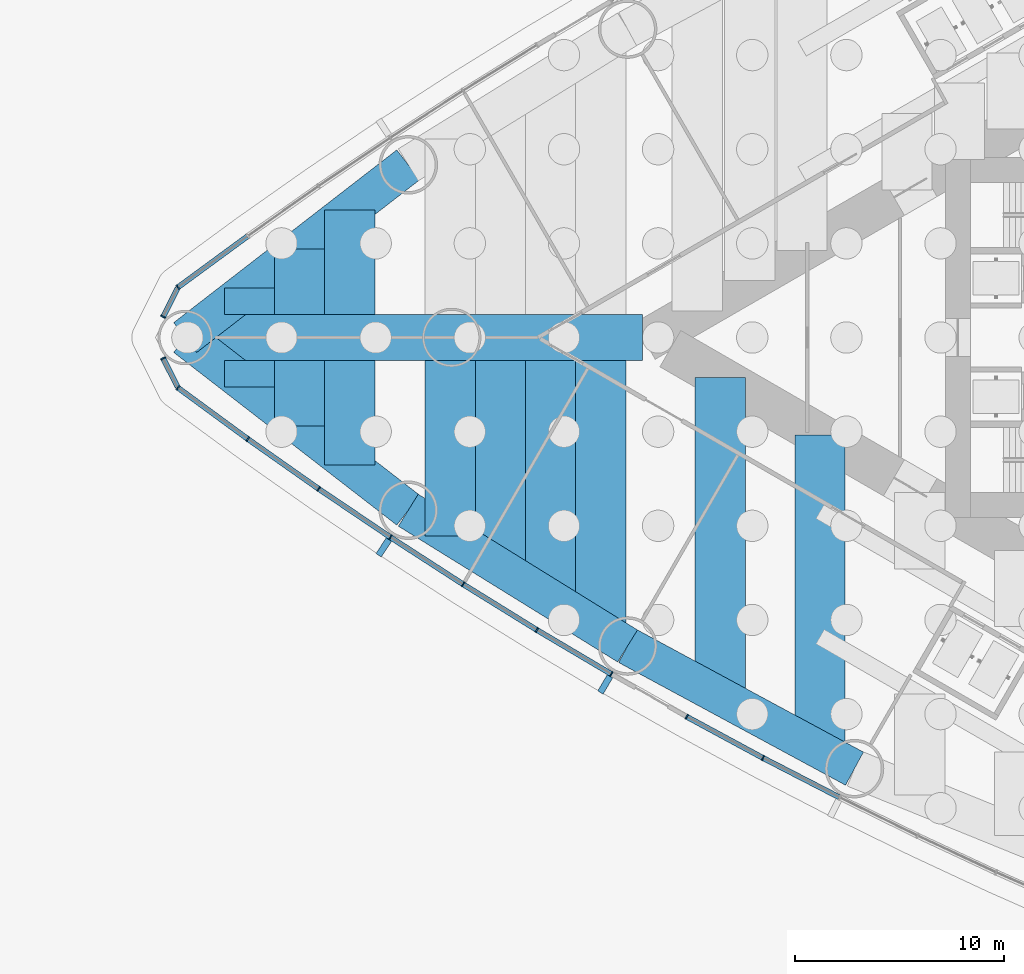
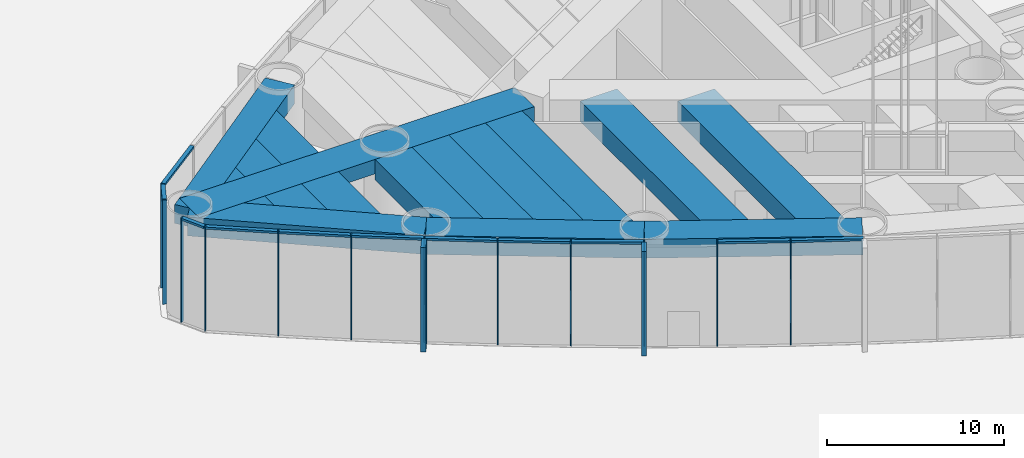
# One storey, part 7 of 43: 25 members, 17 beams, 3 elements without a shape of their own.
"""IFC4 building model written with IfcOpenShell, lengths in metres."""

import ifcopenshell
import ifcopenshell.guid

model = None  # the IFC model being written
_history = None  # IfcOwnerHistory: only IFC2X3 demands one
_inside = {}  # id of a spatial element -> (the spatial element, [elements in it])
_under = {}  # id of a project, library or spatial element -> (it, [spatial elements below it])
_declared = {}  # id of a project -> (the project, [libraries it declares])
_typed = {}  # id of a type object -> (the type object, [elements of that type])
_made_of = {}  # id of a material, layer set ... -> (it, [elements and type objects made of it])


def new_model(schema):
    """Start an empty IFC model of exactly this schema.

    Asked for "IFC4X3", IfcOpenShell would pick the latest addendum, in which some entities
    have other attributes; the version numbers below select the first issue.
    IFC2X3 requires an IfcOwnerHistory on every rooted entity: one is made here for all.
    """
    global model, _history
    if schema == "IFC4X3":
        model = ifcopenshell.file(schema_version=(4, 3, 0, 0))
    else:
        model = ifcopenshell.file(schema=schema)
    _inside.clear()
    _under.clear()
    _declared.clear()
    _typed.clear()
    _made_of.clear()
    _history = None
    if model.schema == "IFC2X3":
        org = make("IfcOrganization", Name="unknown")
        user = make(
            "IfcPersonAndOrganization",
            ThePerson=make("IfcPerson", FamilyName="unknown"),
            TheOrganization=org,
        )
        app = make(
            "IfcApplication",
            ApplicationDeveloper=org,
            Version="unknown",
            ApplicationFullName="unknown",
            ApplicationIdentifier="unknown",
        )
        _history = make(
            "IfcOwnerHistory",
            OwningUser=user,
            OwningApplication=app,
            ChangeAction="ADDED",
            CreationDate=0,
        )
    return model


def make(cls, **values):
    """One entity of the class cls with the attributes given. An attribute that is None is left unset."""
    return model.create_entity(
        cls, **{name: value for name, value in values.items() if value is not None}
    )


def rooted(cls, **values):
    """An entity with a GlobalId (a new one), such as an element, a storey or a relation."""
    return make(cls, GlobalId=ifcopenshell.guid.new(), OwnerHistory=_history, **values)


def si_unit(unit_type, name, prefix=None):
    """IfcSIUnit, for example si_unit("LENGTHUNIT", "METRE", prefix="MILLI")."""
    return make("IfcSIUnit", UnitType=unit_type, Prefix=prefix, Name=name)


def assignment(units):
    """IfcUnitAssignment: the units of a project."""
    return None if units is None else make("IfcUnitAssignment", Units=units)


def point(xyz):
    """IfcCartesianPoint."""
    return None if xyz is None else make("IfcCartesianPoint", Coordinates=xyz)


def direction(xyz):
    """IfcDirection."""
    return None if xyz is None else make("IfcDirection", DirectionRatios=xyz)


def frame(location, z_axis=None, x_axis=None):
    """IfcAxis2Placement3D, a coordinate frame: its origin and axes. An axis left out is left unset."""
    return make(
        "IfcAxis2Placement3D",
        Location=point(location),
        Axis=direction(z_axis),
        RefDirection=direction(x_axis),
    )


def frame_2d(location, x_axis=None):
    """IfcAxis2Placement2D, a coordinate frame in the plane: its origin and x axis."""
    return make(
        "IfcAxis2Placement2D", Location=point(location), RefDirection=direction(x_axis)
    )


def origin():
    """The frame at (0, 0, 0) with its axes left unset."""
    return frame((0.0, 0.0, 0.0))


def origin_2d():
    """The frame at (0, 0) in the plane with its x axis left unset."""
    return frame_2d((0.0, 0.0))


def place(relative_to, where):
    """IfcLocalPlacement: puts the frame where relative to a parent placement (None: the world)."""
    return make(
        "IfcLocalPlacement", PlacementRelTo=relative_to, RelativePlacement=where
    )


def context(
    kind, dimensions, precision=None, world=None, true_north=None, identifier=None
):
    """IfcGeometricRepresentationContext, for example the 3D "Model" context."""
    return make(
        "IfcGeometricRepresentationContext",
        ContextIdentifier=identifier,
        ContextType=kind,
        CoordinateSpaceDimension=dimensions,
        Precision=precision,
        WorldCoordinateSystem=world,
        TrueNorth=true_north,
    )


def subcontext(parent, identifier, kind, view, scale=None):
    """IfcGeometricRepresentationSubContext, for example "Body" below "Model"."""
    return make(
        "IfcGeometricRepresentationSubContext",
        ContextIdentifier=identifier,
        ContextType=kind,
        ParentContext=parent,
        TargetScale=scale,
        TargetView=view,
    )


def project(units=None, contexts=None):
    """IfcProject with its units and contexts."""
    return rooted(
        "IfcProject",
        Name="project",
        RepresentationContexts=contexts,
        UnitsInContext=assignment(units),
    )


def spatial(cls, under=None, at=None, **own):
    """A site, building, storey or space (cls), placed at a placement, below another one or the project."""
    s = rooted(cls, ObjectPlacement=at, **own)
    if under is not None:
        _under.setdefault(under.id(), (under, []))[1].append(s)
    return s


def profile(cls, at=None, kind="AREA", **sizes):
    """A parametric profile (cls). Its sizes go by their IFC names, for example OverallWidth=200.0."""
    return make(cls, ProfileType=kind, Position=at, **sizes)


def rectangle(**sizes):
    """IfcRectangleProfileDef."""
    return profile("IfcRectangleProfileDef", **sizes)


def extrude(swept, where, along, depth):
    """IfcExtrudedAreaSolid: the profile swept, set in the frame where, extruded along a direction by depth."""
    return make(
        "IfcExtrudedAreaSolid",
        SweptArea=swept,
        Position=where,
        ExtrudedDirection=direction(along),
        Depth=depth,
    )


def shape(context_of_items, identifier, shape_type, items):
    """IfcShapeRepresentation: the items that make up one representation, for example the "Body"."""
    return make(
        "IfcShapeRepresentation",
        ContextOfItems=context_of_items,
        RepresentationIdentifier=identifier,
        RepresentationType=shape_type,
        Items=items,
    )


def material(Name=None, Category=None):
    """IfcMaterial."""
    return make("IfcMaterial", Name=Name, Category=Category)


def material_profile(
    of_material, cross_section, Name=None, Category=None, Priority=None
):
    """IfcMaterialProfile: a cross section and its material."""
    return make(
        "IfcMaterialProfile",
        Name=Name,
        Material=of_material,
        Profile=cross_section,
        Priority=Priority,
        Category=Category,
    )


def profile_set(profiles, Name=None, composite=None):
    """IfcMaterialProfileSet."""
    return make(
        "IfcMaterialProfileSet",
        Name=Name,
        MaterialProfiles=profiles,
        CompositeProfile=composite,
    )


def made_of(thing, what):
    """Note that an element or type object is made of a material, layer set ...; save() writes the relation."""
    if what is not None:
        _made_of.setdefault(what.id(), (what, []))[1].append(thing)
    return thing


def type_object(cls, material=None, **own):
    """A type object (cls), such as IfcWallType, which elements share."""
    return made_of(rooted(cls, **own), material)


def element(
    cls,
    number,
    at=None,
    inside=None,
    cuts=None,
    type_object=None,
    material=None,
    context=None,
    identifier="Body",
    shape_type=None,
    held_by="IfcProductDefinitionShape",
    body=None,
    shapes=None,
    **own,
):
    """One element of the class cls, such as IfcWall. Its Tag is "e" and its number.

    at: its placement. inside: the storey or other place that contains it. cuts: it is an
    opening in that element (IfcRelVoidsElement). A single representation is given by context,
    identifier, shape_type and body (its items); several are given by shapes. held_by: the class
    of the entity that holds the representations. save() writes the other relations.
    """
    e = rooted(cls, Tag="e%d" % number, ObjectPlacement=at, **own)
    if body is not None:
        shapes = [shape(context, identifier, shape_type, body)]
    if shapes is not None:
        e.Representation = make(held_by, Representations=shapes)
    if inside is not None:
        _inside.setdefault(inside.id(), (inside, []))[1].append(e)
    if cuts is not None:
        rooted(
            "IfcRelVoidsElement", RelatingBuildingElement=cuts, RelatedOpeningElement=e
        )
    if type_object is not None:
        _typed.setdefault(type_object.id(), (type_object, []))[1].append(e)
    return made_of(e, material)


def aggregate(whole, parts):
    """IfcRelAggregates: a whole, such as a stair, and the parts it consists of."""
    return rooted("IfcRelAggregates", RelatingObject=whole, RelatedObjects=parts)


def save(model, path):
    """Write the relations noted so far, then the file.

    IfcRelAggregates (storeys below a building ...), IfcRelContainedInSpatialStructure (elements
    in a storey), IfcRelDefinesByType, IfcRelAssociatesMaterial and IfcRelDeclares: one each for
    every whole, place, type object, material and project.
    """
    for whole, parts in _under.values():
        aggregate(whole, parts)
    for where, things in _inside.values():
        rooted(
            "IfcRelContainedInSpatialStructure",
            RelatedElements=things,
            RelatingStructure=where,
        )
    for kind, things in _typed.values():
        rooted("IfcRelDefinesByType", RelatedObjects=things, RelatingType=kind)
    for what, things in _made_of.values():
        rooted("IfcRelAssociatesMaterial", RelatedObjects=things, RelatingMaterial=what)
    for by, libraries in _declared.values():
        rooted("IfcRelDeclares", RelatingContext=by, RelatedDefinitions=libraries)
    model.write(path)


model = new_model("IFC4")

# Units and contexts
model_context = context("Model", 3, precision=1e-05, world=origin(), true_north=direction((0.0, 1.0)))
body_context = subcontext(model_context, "Body", "Model", "MODEL_VIEW")
ifc_project = project(units=[si_unit("LENGTHUNIT", "METRE"), si_unit("AREAUNIT", "SQUARE_METRE"), si_unit("VOLUMEUNIT", "CUBIC_METRE"), si_unit("PLANEANGLEUNIT", "RADIAN"), si_unit("MASSUNIT", "GRAM", prefix="KILO")], contexts=[model_context])

# Site, building, storey
site_placement = place(None, origin())
site = spatial("IfcSite", under=ifc_project, at=site_placement, CompositionType="ELEMENT")
building_placement = place(site_placement, origin())
building = spatial("IfcBuilding", under=site, at=building_placement, Name="Lancet Gate Hotel", CompositionType="ELEMENT")
storey_placement = place(building_placement, origin())
storey = spatial("IfcBuildingStorey", under=building, at=storey_placement, Name="L00", CompositionType="ELEMENT", Elevation=0.0)

# Curtain wall, members
ifc_material_1 = material(Name="Aluminium curtain wall", Category="aluminium")
curtain_wall_type = type_object("IfcCurtainWallType", Name="Podium curtain wall", PredefinedType="USERDEFINED", material=ifc_material_1)
curtain_wall_1_placement = place(storey_placement, origin())
curtain_wall_1 = element("IfcCurtainWall", 1, at=curtain_wall_1_placement, inside=storey, type_object=curtain_wall_type, Name="T1 L00 curtain wall 3", ObjectType="UNITISED CURTAIN WALL", PredefinedType="USERDEFINED")
ifc_material_2 = material(Name="Aluminium mullion", Category="aluminium")
ifc_material_profile_1 = material_profile(ifc_material_2, rectangle(XDim=0.06494140625, YDim=0.25, at=origin_2d()), Name="MULLION 65x250")
ifc_profile_set_1 = profile_set([ifc_material_profile_1], Name="Aluminium mullion")
member_type_1 = type_object("IfcMemberType", Name="Aluminium mullion 65x250", PredefinedType="MULLION", material=ifc_profile_set_1)
member_1_placement = place(storey_placement, frame((-74.5830078125, 2.401611328125, 0.0), z_axis=(0.0, 0.0, 1.0), x_axis=(-0.723695580132, -0.690119342793, 0.0)))
member_1 = element("IfcMember", 2, at=member_1_placement, type_object=member_type_1, Name="T1 L00 curtain wall 3 mullion 6", PredefinedType="MULLION", context=body_context, shape_type="SweptSolid", body=[
    extrude(rectangle(XDim=0.06494140625, YDim=0.25, at=origin_2d()), origin(), (0.0, 0.0, 1.0), 7.199951171875),
])
member_2_placement = place(storey_placement, frame((-75.287109375, 0.994873046875, 0.0), z_axis=(0.0, 0.0, 1.0), x_axis=(-0.447628324726, -0.89421970617, 0.0)))
member_2 = element("IfcMember", 3, at=member_2_placement, type_object=member_type_1, Name="T1 L00 curtain wall 3 mullion 7", PredefinedType="MULLION", context=body_context, shape_type="SweptSolid", body=[
    extrude(rectangle(XDim=0.06494140625, YDim=0.25, at=origin_2d()), origin(), (0.0, 0.0, 1.0), 7.199951171875),
])

curtain_wall_2_placement = place(storey_placement, origin())
curtain_wall_2 = element("IfcCurtainWall", 4, at=curtain_wall_2_placement, inside=storey, type_object=curtain_wall_type, Name="T1 L00 curtain wall 4", ObjectType="UNITISED CURTAIN WALL", PredefinedType="USERDEFINED")
member_3_placement = place(storey_placement, frame((-75.287109375, -0.994873046875, 0.0), z_axis=(0.0, 0.0, 1.0), x_axis=(0.447628324726, -0.89421970617, 0.0)))
member_3 = element("IfcMember", 5, at=member_3_placement, type_object=member_type_1, Name="T1 L00 curtain wall 4 mullion 1", PredefinedType="MULLION", context=body_context, shape_type="SweptSolid", body=[
    extrude(rectangle(XDim=0.06494140625, YDim=0.25, at=origin_2d()), origin(), (0.0, 0.0, 1.0), 7.199951171875),
])
member_4_placement = place(storey_placement, frame((-74.5830078125, -2.401611328125, 0.0), z_axis=(0.0, 0.0, 1.0), x_axis=(0.723695580132, -0.690119342793, 0.0)))
member_4 = element("IfcMember", 6, at=member_4_placement, type_object=member_type_1, Name="T1 L00 curtain wall 4 mullion 2", PredefinedType="MULLION", context=body_context, shape_type="SweptSolid", body=[
    extrude(rectangle(XDim=0.06494140625, YDim=0.25, at=origin_2d()), origin(), (0.0, 0.0, 1.0), 7.199951171875),
])
member_5_placement = place(storey_placement, frame((-71.244384765625, -4.85009765625, 0.0), z_axis=(0.0, 0.0, 1.0), x_axis=(0.812146623168, -0.583453393578, 0.0)))
member_5 = element("IfcMember", 7, at=member_5_placement, type_object=member_type_1, Name="T1 L00 curtain wall 4 mullion 3", PredefinedType="MULLION", context=body_context, shape_type="SweptSolid", body=[
    extrude(rectangle(XDim=0.06494140625, YDim=0.25, at=origin_2d()), origin(), (0.0, 0.0, 1.0), 7.199951171875),
])
member_6_placement = place(storey_placement, frame((-67.858154296875, -7.232666015625, 0.0), z_axis=(0.0, 0.0, 1.0), x_axis=(0.823425148573, -0.56742490666, 0.0)))
member_6 = element("IfcMember", 8, at=member_6_placement, type_object=member_type_1, Name="T1 L00 curtain wall 4 mullion 4", PredefinedType="MULLION", context=body_context, shape_type="SweptSolid", body=[
    extrude(rectangle(XDim=0.06494140625, YDim=0.25, at=origin_2d()), origin(), (0.0, 0.0, 1.0), 7.199951171875),
])
member_7_placement = place(storey_placement, frame((-64.42626953125, -9.548583984375, 0.0), z_axis=(0.0, 0.0, 1.0), x_axis=(0.834387381945, -0.55117846189, 0.0)))
member_7 = element("IfcMember", 9, at=member_7_placement, type_object=member_type_1, Name="T1 L00 curtain wall 4 mullion 5", PredefinedType="MULLION", context=body_context, shape_type="SweptSolid", body=[
    extrude(rectangle(XDim=0.06494140625, YDim=0.25, at=origin_2d()), origin(), (0.0, 0.0, 1.0), 7.199951171875),
])
member_8_placement = place(storey_placement, frame((-60.949462890625, -11.796630859375, 0.0), z_axis=(0.0, 0.0, 1.0), x_axis=(0.845029112489, -0.534720299827, 0.0)))
member_8 = element("IfcMember", 10, at=member_8_placement, type_object=member_type_1, Name="T1 L00 curtain wall 4 mullion 6", PredefinedType="MULLION", context=body_context, shape_type="SweptSolid", body=[
    extrude(rectangle(XDim=0.06494140625, YDim=0.25, at=origin_2d()), origin(), (0.0, 0.0, 1.0), 7.199951171875),
])
member_9_placement = place(storey_placement, frame((-57.42919921875, -13.97607421875, 0.0), z_axis=(0.0, 0.0, 1.0), x_axis=(0.855346252548, -0.518056742309, 0.0)))
member_9 = element("IfcMember", 11, at=member_9_placement, type_object=member_type_1, Name="T1 L00 curtain wall 4 mullion 7", PredefinedType="MULLION", context=body_context, shape_type="SweptSolid", body=[
    extrude(rectangle(XDim=0.06494140625, YDim=0.25, at=origin_2d()), origin(), (0.0, 0.0, 1.0), 7.199951171875),
])
member_10_placement = place(storey_placement, frame((-53.866943359375, -16.086181640625, 0.0), z_axis=(0.0, 0.0, 1.0), x_axis=(0.860381857795, -0.509649937484, 0.0)))
member_10 = element("IfcMember", 12, at=member_10_placement, type_object=member_type_1, Name="T1 L00 curtain wall 4 mullion 8", PredefinedType="MULLION", context=body_context, shape_type="SweptSolid", body=[
    extrude(rectangle(XDim=0.06494140625, YDim=0.25, at=origin_2d()), origin(), (0.0, 0.0, 1.0), 7.199951171875),
])

curtain_wall_3_placement = place(storey_placement, origin())
curtain_wall_3 = element("IfcCurtainWall", 13, at=curtain_wall_3_placement, inside=storey, type_object=curtain_wall_type, Name="T1 L00 curtain wall 5", ObjectType="UNITISED CURTAIN WALL", PredefinedType="USERDEFINED")
member_11_placement = place(storey_placement, frame((-50.26416015625, -18.1259765625, 0.0), z_axis=(0.0, 0.0, 1.0), x_axis=(0.87969332307, -0.475541435993, 0.0)))
member_11 = element("IfcMember", 14, at=member_11_placement, type_object=member_type_1, Name="T1 L00 curtain wall 5 mullion 1", PredefinedType="MULLION", context=body_context, shape_type="SweptSolid", body=[
    extrude(rectangle(XDim=0.06494140625, YDim=0.25, at=origin_2d()), origin(), (0.0, 0.0, 1.0), 7.199951171875),
])
member_12_placement = place(storey_placement, frame((-46.6220703125, -20.094970703125, 0.0), z_axis=(0.0, 0.0, 1.0), x_axis=(0.884311132302, -0.466898084475, 0.0)))
member_12 = element("IfcMember", 15, at=member_12_placement, type_object=member_type_1, Name="T1 L00 curtain wall 5 mullion 2", PredefinedType="MULLION", context=body_context, shape_type="SweptSolid", body=[
    extrude(rectangle(XDim=0.06494140625, YDim=0.25, at=origin_2d()), origin(), (0.0, 0.0, 1.0), 7.199951171875),
])

# Member
ifc_material_3 = material(Name="Aluminium transom", Category="aluminium")
ifc_material_profile_2 = material_profile(ifc_material_3, rectangle(XDim=0.25, YDim=0.14990234375, at=origin_2d()), Name="TRANSOM 250x150")
ifc_profile_set_2 = profile_set([ifc_material_profile_2], Name="Aluminium transom")
member_type_2 = type_object("IfcMemberType", Name="Aluminium transom 250x150", PredefinedType="USERDEFINED", material=ifc_profile_set_2)
member_13_placement = place(storey_placement, frame((-71.2705078125, 4.8310546875, 7.125), z_axis=(-0.806366902144, -0.59141560609, 0.0), x_axis=(0.59141560609, -0.806366902144, 0.0)))
member_13 = element("IfcMember", 16, at=member_13_placement, type_object=member_type_2, Name="T1 L00 curtain wall 3 transom 5", ObjectType="TRANSOM", PredefinedType="USERDEFINED", context=body_context, shape_type="SweptSolid", body=[
    extrude(rectangle(XDim=0.25, YDim=0.14990234375, at=origin_2d()), origin(), (0.0, 0.0, 1.0), 4.0751953125),
])

member_14_placement = place(storey_placement, frame((-74.597412109375, 2.37255859375, 7.125), z_axis=(-0.447731503446, -0.894168049542, 0.0), x_axis=(0.894168049542, -0.447731503446, 0.0)))
member_14 = element("IfcMember", 17, at=member_14_placement, type_object=member_type_2, Name="T1 L00 curtain wall 3 transom 6", ObjectType="TRANSOM", PredefinedType="USERDEFINED", context=body_context, shape_type="SweptSolid", body=[
    extrude(rectangle(XDim=0.25, YDim=0.14990234375, at=origin_2d()), origin(), (0.0, 0.0, 1.0), 1.50830078125),
])

aggregate(curtain_wall_1, [member_1, member_2, member_13, member_14])

member_15_placement = place(storey_placement, frame((-75.272705078125, -1.02392578125, 7.125), z_axis=(0.447731503446, -0.894168049542, 0.0), x_axis=(0.894168049542, 0.447731503446, 0.0)))
member_15 = element("IfcMember", 18, at=member_15_placement, type_object=member_type_2, Name="T1 L00 curtain wall 4 transom 1", ObjectType="TRANSOM", PredefinedType="USERDEFINED", context=body_context, shape_type="SweptSolid", body=[
    extrude(rectangle(XDim=0.25, YDim=0.14990234375, at=origin_2d()), origin(), (0.0, 0.0, 1.0), 1.50830078125),
])

member_16_placement = place(storey_placement, frame((-74.556640625, -2.4208984375, 7.125), z_axis=(0.806366902144, -0.59141560609, 0.0), x_axis=(0.59141560609, 0.806366902144, 0.0)))
member_16 = element("IfcMember", 19, at=member_16_placement, type_object=member_type_2, Name="T1 L00 curtain wall 4 transom 2", ObjectType="TRANSOM", PredefinedType="USERDEFINED", context=body_context, shape_type="SweptSolid", body=[
    extrude(rectangle(XDim=0.25, YDim=0.14990234375, at=origin_2d()), origin(), (0.0, 0.0, 1.0), 4.0751953125),
])

member_17_placement = place(storey_placement, frame((-71.2177734375, -4.868896484375, 7.125), z_axis=(0.817833568345, -0.57545482402, 0.0), x_axis=(0.57545482402, 0.817833568345, 0.0)))
member_17 = element("IfcMember", 20, at=member_17_placement, type_object=member_type_2, Name="T1 L00 curtain wall 4 transom 3", ObjectType="TRANSOM", PredefinedType="USERDEFINED", context=body_context, shape_type="SweptSolid", body=[
    extrude(rectangle(XDim=0.25, YDim=0.14990234375, at=origin_2d()), origin(), (0.0, 0.0, 1.0), 4.075439453125),
])

member_18_placement = place(storey_placement, frame((-67.831298828125, -7.2509765625, 7.125), z_axis=(0.828959086782, -0.559309245804, 0.0), x_axis=(0.559309245804, 0.828959086782, 0.0)))
member_18 = element("IfcMember", 21, at=member_18_placement, type_object=member_type_2, Name="T1 L00 curtain wall 4 transom 4", ObjectType="TRANSOM", PredefinedType="USERDEFINED", context=body_context, shape_type="SweptSolid", body=[
    extrude(rectangle(XDim=0.25, YDim=0.14990234375, at=origin_2d()), origin(), (0.0, 0.0, 1.0), 4.0751953125),
])

member_19_placement = place(storey_placement, frame((-64.39892578125, -9.566162109375, 7.125), z_axis=(0.839729242404, -0.543005340169, 0.0), x_axis=(0.543005340169, 0.839729242404, 0.0)))
member_19 = element("IfcMember", 22, at=member_19_placement, type_object=member_type_2, Name="T1 L00 curtain wall 4 transom 5", ObjectType="TRANSOM", PredefinedType="USERDEFINED", context=body_context, shape_type="SweptSolid", body=[
    extrude(rectangle(XDim=0.25, YDim=0.14990234375, at=origin_2d()), origin(), (0.0, 0.0, 1.0), 4.0751953125),
])

member_20_placement = place(storey_placement, frame((-60.921875, -11.813720703125, 7.125), z_axis=(0.850242165643, -0.526391736032, 0.0), x_axis=(0.526391736032, 0.850242165643, 0.0)))
member_20 = element("IfcMember", 23, at=member_20_placement, type_object=member_type_2, Name="T1 L00 curtain wall 4 transom 6", ObjectType="TRANSOM", PredefinedType="USERDEFINED", context=body_context, shape_type="SweptSolid", body=[
    extrude(rectangle(XDim=0.25, YDim=0.14990234375, at=origin_2d()), origin(), (0.0, 0.0, 1.0), 4.075439453125),
])

member_21_placement = place(storey_placement, frame((-57.4013671875, -13.99267578125, 7.125), z_axis=(0.86039174806, -0.509633240547, 0.0), x_axis=(0.509633240547, 0.86039174806, 0.0)))
member_21 = element("IfcMember", 24, at=member_21_placement, type_object=member_type_2, Name="T1 L00 curtain wall 4 transom 7", ObjectType="TRANSOM", PredefinedType="USERDEFINED", context=body_context, shape_type="SweptSolid", body=[
    extrude(rectangle(XDim=0.25, YDim=0.14990234375, at=origin_2d()), origin(), (0.0, 0.0, 1.0), 4.0751953125),
])

member_22_placement = place(storey_placement, frame((-50.235595703125, -18.1416015625, 7.125), z_axis=(0.87971396408, -0.475503250675, 0.0), x_axis=(0.475503250675, 0.87971396408, 0.0)))
member_22 = element("IfcMember", 25, at=member_22_placement, type_object=member_type_2, Name="T1 L00 curtain wall 5 transom 1", ObjectType="TRANSOM", PredefinedType="USERDEFINED", context=body_context, shape_type="SweptSolid", body=[
    extrude(rectangle(XDim=0.25, YDim=0.14990234375, at=origin_2d()), origin(), (0.0, 0.0, 1.0), 4.0751953125),
])

member_23_placement = place(storey_placement, frame((-46.593017578125, -20.10986328125, 7.125), z_axis=(0.888859972399, -0.458178949175, 0.0), x_axis=(0.458178949175, 0.888859972399, 0.0)))
member_23 = element("IfcMember", 26, at=member_23_placement, type_object=member_type_2, Name="T1 L00 curtain wall 5 transom 2", ObjectType="TRANSOM", PredefinedType="USERDEFINED", context=body_context, shape_type="SweptSolid", body=[
    extrude(rectangle(XDim=0.25, YDim=0.14990234375, at=origin_2d()), origin(), (0.0, 0.0, 1.0), 4.0751953125),
])

aggregate(curtain_wall_3, [member_11, member_12, member_22, member_23])

# Beams
ifc_material_4 = material(Name="Concrete C50/60", Category="concrete")
ifc_material_profile_3 = material_profile(ifc_material_4, rectangle(XDim=1.800048828125, YDim=1.300048828125, at=origin_2d()), Name="RC 1800x1300")
ifc_profile_set_3 = profile_set([ifc_material_profile_3], Name="Concrete C50/60")
beam_type_1 = type_object("IfcBeamType", Name="Edge beam RC 1800x1300", PredefinedType="SPANDREL", material=ifc_profile_set_3)
for number, where, z_axis, x_axis, name in (
    (27, (-63.57177734375, 8.255126953125, 6.199951171875), (-0.790736428665, -0.612156761281, 0.0), (0.612156761281, -0.790736428665, 0.0), "T1 edge beam EB1 L00"),
    (28, (-74.235107421875, 0.0, 6.199951171875), (0.790736428665, -0.612156761281, 0.0), (0.612156761281, 0.790736428665, 0.0), "T1 edge beam EB1 L00"),
):
    element("IfcBeam", number, at=place(storey_placement, frame(where, z_axis=z_axis, x_axis=x_axis)), inside=storey, type_object=beam_type_1, Name=name, PredefinedType="SPANDREL", context=body_context, shape_type="SweptSolid", body=[
        extrude(rectangle(XDim=1.800048828125, YDim=1.300048828125, at=origin_2d()), origin(), (0.0, 0.0, 1.0), 13.4853515625),
    ])
for number, where, z_axis, x_axis, name in (
    (29, (-63.57177734375, -8.255126953125, 6.199951171875), (0.850225894333, -0.526418016984, 0.0), (0.526418016984, 0.850225894333, 0.0), "T1 edge beam EB1 L00"),
    (30, (-53.090087890625, -14.744873046875, 6.199951171875), (0.879692855603, -0.475542300749, 0.0), (0.475542300749, 0.879692855603, 0.0), "T1 edge beam EB1 L00"),
):
    element("IfcBeam", number, at=place(storey_placement, frame(where, z_axis=z_axis, x_axis=x_axis)), inside=storey, type_object=beam_type_1, Name=name, PredefinedType="SPANDREL", context=body_context, shape_type="SweptSolid", body=[
        extrude(rectangle(XDim=1.800048828125, YDim=1.300048828125, at=origin_2d()), origin(), (0.0, 0.0, 1.0), 12.328125),
    ])

# Member
ifc_material_5 = material(Name="Precast concrete C50/60", Category="concrete")
ifc_material_profile_4 = material_profile(ifc_material_5, rectangle(XDim=0.300048828125, YDim=0.89990234375, at=origin_2d()), Name="FIN 300x900")
ifc_profile_set_4 = profile_set([ifc_material_profile_4], Name="Precast concrete C50/60")
member_type_3 = type_object("IfcMemberType", Name="Exposed concrete fin 300x900", PredefinedType="USERDEFINED", material=ifc_profile_set_4)
member_24_placement = place(storey_placement, frame((-64.7431640625, -10.0283203125, 0.0), z_axis=(0.0, 0.0, 1.0), x_axis=(0.834387381945, -0.55117846189, 0.0)))
member_24 = element("IfcMember", 31, at=member_24_placement, type_object=member_type_3, Name="T1 L00 curtain wall 4 fin 5", ObjectType="FIN", PredefinedType="USERDEFINED", context=body_context, shape_type="SweptSolid", body=[
    extrude(rectangle(XDim=0.300048828125, YDim=0.89990234375, at=origin_2d()), origin(), (0.0, 0.0, 1.0), 7.199951171875),
])

member_25_placement = place(storey_placement, frame((-54.16015625, -16.580810546875, 0.0), z_axis=(0.0, 0.0, 1.0), x_axis=(0.860381857795, -0.509649937484, 0.0)))
member_25 = element("IfcMember", 32, at=member_25_placement, type_object=member_type_3, Name="T1 L00 curtain wall 4 fin 8", ObjectType="FIN", PredefinedType="USERDEFINED", context=body_context, shape_type="SweptSolid", body=[
    extrude(rectangle(XDim=0.300048828125, YDim=0.89990234375, at=origin_2d()), origin(), (0.0, 0.0, 1.0), 7.199951171875),
])

aggregate(curtain_wall_2, [member_3, member_4, member_5, member_6, member_7, member_24, member_8, member_9, member_10, member_25, member_15, member_16, member_17, member_18, member_19, member_20, member_21])

# Beams
ifc_material_6 = material(Name="Concrete C50/60", Category="concrete")
ifc_material_profile_5 = material_profile(ifc_material_6, rectangle(XDim=2.39990234375, YDim=1.39990234375, at=origin_2d()), Name="RC 2400x1400")
ifc_profile_set_5 = profile_set([ifc_material_profile_5], Name="Concrete C50/60")
beam_type_2 = type_object("IfcBeamType", Name="Floor beam RC 2400x1400", PredefinedType="BEAM", material=ifc_profile_set_5)
beam_1_placement = place(storey_placement, frame((-43.891357421875, -4.663330078125, 6.14990234375), z_axis=(0.0, -1.0, 0.0), x_axis=(1.0, 0.0, 0.0)))
element("IfcBeam", 33, at=beam_1_placement, inside=storey, type_object=beam_type_2, Name="T1 floor beam F08N L00", PredefinedType="BEAM", context=body_context, shape_type="SweptSolid", body=[
    extrude(rectangle(XDim=2.39990234375, YDim=1.39990234375, at=origin_2d()), origin(), (0.0, 0.0, 1.0), 15.05419921875),
])
beam_2_placement = place(storey_placement, frame((-48.66015625, -1.909912109375, 6.14990234375), z_axis=(0.0, -1.0, 0.0), x_axis=(1.0, 0.0, 0.0)))
element("IfcBeam", 34, at=beam_2_placement, inside=storey, type_object=beam_type_2, Name="T1 floor beam F11N L00", PredefinedType="BEAM", context=body_context, shape_type="SweptSolid", body=[
    extrude(rectangle(XDim=2.39990234375, YDim=1.39990234375, at=origin_2d()), origin(), (0.0, 0.0, 1.0), 15.229736328125),
])
beam_3_placement = place(storey_placement, frame((-54.3681640625, -1.10009765625, 6.14990234375), z_axis=(0.0, -1.0, 0.0), x_axis=(1.0, 0.0, 0.0)))
element("IfcBeam", 35, at=beam_3_placement, inside=storey, type_object=beam_type_2, Name="T1 floor beam F14N L00", PredefinedType="BEAM", context=body_context, shape_type="SweptSolid", body=[
    extrude(rectangle(XDim=2.39990234375, YDim=1.39990234375, at=origin_2d()), origin(), (0.0, 0.0, 1.0), 12.853515625),
])
beam_4_placement = place(storey_placement, frame((-56.768310546875, -1.10009765625, 6.14990234375), z_axis=(0.0, -1.0, 0.0), x_axis=(1.0, 0.0, 0.0)))
element("IfcBeam", 36, at=beam_4_placement, inside=storey, type_object=beam_type_2, Name="T1 floor beam F16N L00", PredefinedType="BEAM", context=body_context, shape_type="SweptSolid", body=[
    extrude(rectangle(XDim=2.39990234375, YDim=1.39990234375, at=origin_2d()), origin(), (0.0, 0.0, 1.0), 11.367431640625),
])
beam_5_placement = place(storey_placement, frame((-59.168212890625, -1.10009765625, 6.14990234375), z_axis=(0.0, -1.0, 0.0), x_axis=(1.0, 0.0, 0.0)))
element("IfcBeam", 37, at=beam_5_placement, inside=storey, type_object=beam_type_2, Name="T1 floor beam F18N L00", PredefinedType="BEAM", context=body_context, shape_type="SweptSolid", body=[
    extrude(rectangle(XDim=2.39990234375, YDim=1.39990234375, at=origin_2d()), origin(), (0.0, 0.0, 1.0), 9.881591796875),
])
beam_6_placement = place(storey_placement, frame((-61.568359375, -1.10009765625, 6.14990234375), z_axis=(0.0, -1.0, 0.0), x_axis=(1.0, 0.0, 0.0)))
element("IfcBeam", 38, at=beam_6_placement, inside=storey, type_object=beam_type_2, Name="T1 floor beam F20N L00", PredefinedType="BEAM", context=body_context, shape_type="SweptSolid", body=[
    extrude(rectangle(XDim=2.39990234375, YDim=1.39990234375, at=origin_2d()), origin(), (0.0, 0.0, 1.0), 8.395751953125),
])
for number, where, z_axis, x_axis, name in (
    (39, (-66.3681640625, 6.09033203125, 6.14990234375), (0.0, -1.0, 0.0), (1.0, 0.0, 0.0), "T1 floor beam F21S L00"),
    (40, (-66.3681640625, -1.10009765625, 6.14990234375), (0.0, -1.0, 0.0), (1.0, 0.0, 0.0), "T1 floor beam F22N L00"),
):
    element("IfcBeam", number, at=place(storey_placement, frame(where, z_axis=z_axis, x_axis=x_axis)), inside=storey, type_object=beam_type_2, Name=name, PredefinedType="BEAM", context=body_context, shape_type="SweptSolid", body=[
        extrude(rectangle(XDim=2.39990234375, YDim=1.39990234375, at=origin_2d()), origin(), (0.0, 0.0, 1.0), 4.990234375),
    ])
for number, where, z_axis, x_axis, name in (
    (41, (-68.768310546875, 4.232421875, 6.14990234375), (0.0, -1.0, 0.0), (1.0, 0.0, 0.0), "T1 floor beam F23S L00"),
    (42, (-68.768310546875, -1.10009765625, 6.14990234375), (0.0, -1.0, 0.0), (1.0, 0.0, 0.0), "T1 floor beam F24N L00"),
):
    element("IfcBeam", number, at=place(storey_placement, frame(where, z_axis=z_axis, x_axis=x_axis)), inside=storey, type_object=beam_type_2, Name=name, PredefinedType="BEAM", context=body_context, shape_type="SweptSolid", body=[
        extrude(rectangle(XDim=2.39990234375, YDim=1.39990234375, at=origin_2d()), origin(), (0.0, 0.0, 1.0), 3.13232421875),
    ])
for number, where, z_axis, x_axis, name in (
    (43, (-71.168212890625, 2.374267578125, 6.14990234375), (0.0, -1.0, 0.0), (1.0, 0.0, 0.0), "T1 floor beam F25S L00"),
    (44, (-71.168212890625, -1.10009765625, 6.14990234375), (0.0, -1.0, 0.0), (1.0, 0.0, 0.0), "T1 floor beam F26N L00"),
):
    element("IfcBeam", number, at=place(storey_placement, frame(where, z_axis=z_axis, x_axis=x_axis)), inside=storey, type_object=beam_type_2, Name=name, PredefinedType="BEAM", context=body_context, shape_type="SweptSolid", body=[
        extrude(rectangle(XDim=2.39990234375, YDim=1.39990234375, at=origin_2d()), origin(), (0.0, 0.0, 1.0), 1.274169921875),
    ])
ifc_material_7 = material(Name="Concrete C50/60", Category="concrete")
ifc_material_profile_6 = material_profile(ifc_material_7, rectangle(XDim=2.199951171875, YDim=1.0, at=origin_2d()), Name="RC 2200x1000")
ifc_profile_set_6 = profile_set([ifc_material_profile_6], Name="Concrete C50/60")
beam_type_3 = type_object("IfcBeamType", Name="Radial floor beam RC 2200x1000", PredefinedType="BEAM", material=ifc_profile_set_6)
beam_7_placement = place(storey_placement, frame((-74.235107421875, 0.0, 6.35009765625), z_axis=(1.0, 0.0, 0.0), x_axis=(0.0, 1.0, 0.0)))
element("IfcBeam", 45, at=beam_7_placement, inside=storey, type_object=beam_type_3, Name="T1 radial beam CA L00", PredefinedType="BEAM", context=body_context, shape_type="SweptSolid", body=[
    extrude(rectangle(XDim=2.199951171875, YDim=1.0, at=origin_2d()), origin(), (0.0, 0.0, 1.0), 21.866943359375),
])

save(model, "model.ifc")
